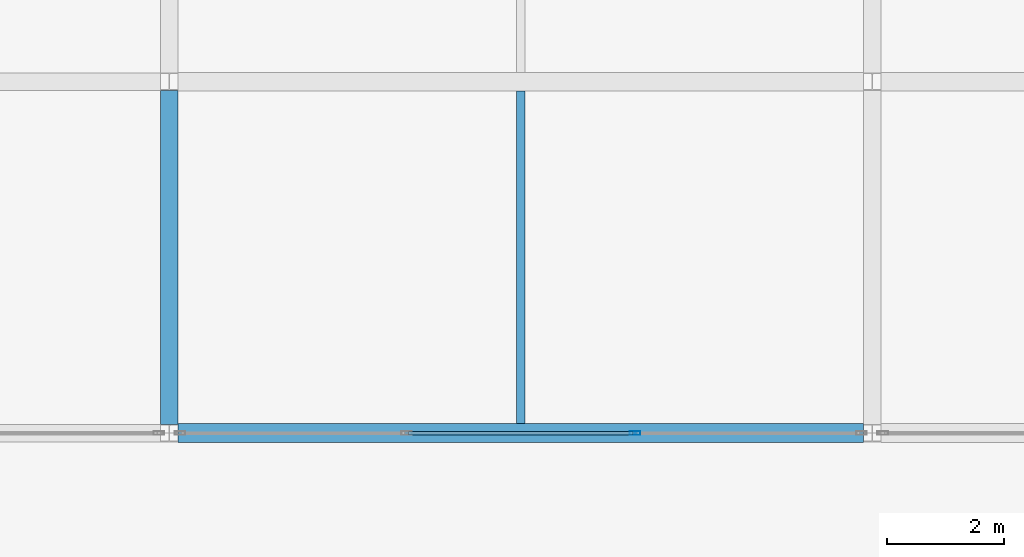
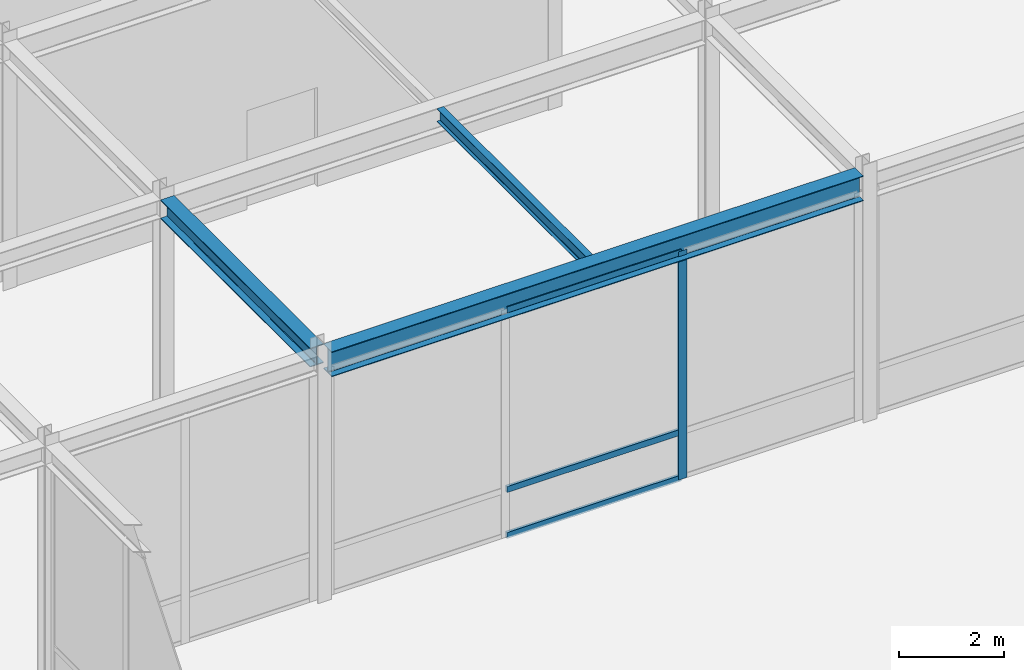
# One storey, part 70 of 108: 4 members, 3 beams, 1 element without a shape of its own.
"""IFC4 building model written with IfcOpenShell, lengths in metres."""

from ifc_helpers import new_model, si_unit, direction, frame, origin, origin_2d, place, context, subcontext, project, spatial, hollow_rectangle, i_section, extrude, material, layer, layer_set, material_profile, profile_set, type_object, element, aggregate, save


model = new_model("IFC4")

# Units and contexts
model_context = context("Model", 3, precision=1e-05, world=origin(), true_north=direction((0.0, 1.0)))
body_context = subcontext(model_context, "Body", "Model", "MODEL_VIEW")
ifc_project = project(units=[si_unit("LENGTHUNIT", "METRE"), si_unit("AREAUNIT", "SQUARE_METRE"), si_unit("VOLUMEUNIT", "CUBIC_METRE"), si_unit("PLANEANGLEUNIT", "RADIAN"), si_unit("MASSUNIT", "GRAM", prefix="KILO")], contexts=[model_context])

# Site, building, storey
site_placement = place(None, origin())
site = spatial("IfcSite", under=ifc_project, at=site_placement, CompositionType="ELEMENT")
building_placement = place(site_placement, origin())
building = spatial("IfcBuilding", under=site, at=building_placement, Name="Zlatovratsky Civic Hall", CompositionType="ELEMENT")
storey_placement = place(building_placement, frame((0.0, 0.0, 6.0)))
storey = spatial("IfcBuildingStorey", under=building, at=storey_placement, Name="L02", CompositionType="ELEMENT", Elevation=6.0)

# Beams
ifc_material_1 = material(Name="Steel S355", Category="steel")
ifc_material_profile_1 = material_profile(ifc_material_1, i_section(OverallWidth=0.320068359375, OverallDepth=0.58203125, WebThickness=0.011962890625, FlangeThickness=0.01708984375, FilletRadius=0.02392578125, at=origin_2d()), Name="60Sh1")
ifc_profile_set_1 = profile_set([ifc_material_profile_1], Name="Steel S355")
beam_type_1 = type_object("IfcBeamType", Name="Beam_PodiumGirder_60Sh1", PredefinedType="BEAM", material=ifc_profile_set_1)
beam_1_placement = place(storey_placement, frame((24.14990234375, 66.0, 5.468994140625), z_axis=(1.0, 0.0, 0.0), x_axis=(0.0, 1.0, 0.0)))
element("IfcBeam", 1, at=beam_1_placement, inside=storey, type_object=beam_type_1, Name="BM-1872", PredefinedType="BEAM", context=body_context, shape_type="SweptSolid", body=[
    extrude(i_section(OverallWidth=0.320068359375, OverallDepth=0.58203125, WebThickness=0.011962890625, FlangeThickness=0.01708984375, FilletRadius=0.02392578125, at=origin_2d()), origin(), (0.0, 0.0, 1.0), 11.7001953125),
])
ifc_material_profile_2 = material_profile(ifc_material_1, i_section(OverallWidth=0.300048828125, OverallDepth=0.43994140625, WebThickness=0.010986328125, FlangeThickness=0.01806640625, FilletRadius=0.02197265625, at=origin_2d()), Name="45Sh1")
ifc_profile_set_2 = profile_set([ifc_material_profile_2], Name="Steel S355")
beam_type_2 = type_object("IfcBeamType", Name="Beam_TowerLow_45Sh1", PredefinedType="BEAM", material=ifc_profile_set_2)
beam_2_placement = place(storey_placement, frame((24.0, 66.14990234375, 5.5400390625), z_axis=(0.0, 1.0, 0.0), x_axis=(-1.0, 0.0, 0.0)))
element("IfcBeam", 2, at=beam_2_placement, inside=storey, type_object=beam_type_2, Name="BM-2111", PredefinedType="BEAM", context=body_context, shape_type="SweptSolid", body=[
    extrude(i_section(OverallWidth=0.300048828125, OverallDepth=0.43994140625, WebThickness=0.010986328125, FlangeThickness=0.01806640625, FilletRadius=0.02197265625, at=origin_2d()), origin(), (0.0, 0.0, 1.0), 5.7001953125),
])

# Curtain wall, members
ifc_material_2 = material(Name="Anodised bronze aluminium", Category="aluminium")
ifc_layer = layer(ifc_material_2, 0.159912109375)
ifc_layer_set = layer_set([ifc_layer], Name="Anodised bronze aluminium")
curtain_wall_type = type_object("IfcCurtainWallType", Name="CurtainWall_Bronze_11700x5310_05", PredefinedType="NOTDEFINED", material=ifc_layer_set)
curtain_wall_placement = place(storey_placement, origin())
curtain_wall = element("IfcCurtainWall", 3, at=curtain_wall_placement, inside=storey, type_object=curtain_wall_type, Name="CW-013", PredefinedType="NOTDEFINED")
ifc_material_profile_3 = material_profile(ifc_material_2, hollow_rectangle(XDim=0.06005859375, YDim=0.179931640625, WallThickness=0.00390625, at=origin_2d()), Name="ALU 60x180x4")
ifc_profile_set_3 = profile_set([ifc_material_profile_3], Name="Anodised bronze aluminium")
member_type_1 = type_object("IfcMemberType", Name="CW_Mullion_60x180", PredefinedType="MULLION", material=ifc_profile_set_3)
member_1_placement = place(storey_placement, frame((31.949951171875, 66.0, 0.0), z_axis=(0.0, 0.0, 1.0), x_axis=(0.0, 1.0, 0.0)))
member_1 = element("IfcMember", 4, at=member_1_placement, type_object=member_type_1, Name="CW-05 mullion 3", PredefinedType="MULLION", context=body_context, shape_type="SweptSolid", body=[
    extrude(hollow_rectangle(XDim=0.06005859375, YDim=0.179931640625, WallThickness=0.00390625, at=origin_2d()), origin(), (0.0, 0.0, 1.0), 5.31005859375),
])
ifc_material_profile_4 = material_profile(ifc_material_2, hollow_rectangle(XDim=0.06005859375, YDim=0.139892578125, WallThickness=0.00390625, at=origin_2d()), Name="ALU 60x140x4")
ifc_profile_set_4 = profile_set([ifc_material_profile_4], Name="Anodised bronze aluminium")
member_type_2 = type_object("IfcMemberType", Name="CW_Transom_60x140", PredefinedType="USERDEFINED", material=ifc_profile_set_4)
member_2_placement = place(storey_placement, frame((28.080078125, 66.0, 0.030029296875), z_axis=(1.0, 0.0, 0.0), x_axis=(0.0, 1.0, 0.0)))
member_2 = element("IfcMember", 5, at=member_2_placement, type_object=member_type_2, Name="CW-05 transom 2.1", ObjectType="TRANSOM", PredefinedType="USERDEFINED", context=body_context, shape_type="SweptSolid", body=[
    extrude(hollow_rectangle(XDim=0.06005859375, YDim=0.139892578125, WallThickness=0.00390625, at=origin_2d()), origin(), (0.0, 0.0, 1.0), 3.83984375),
])
member_3_placement = place(storey_placement, frame((28.080078125, 66.0, 1.10009765625), z_axis=(1.0, 0.0, 0.0), x_axis=(0.0, 1.0, 0.0)))
member_3 = element("IfcMember", 6, at=member_3_placement, type_object=member_type_2, Name="CW-05 transom 2.2", ObjectType="TRANSOM", PredefinedType="USERDEFINED", context=body_context, shape_type="SweptSolid", body=[
    extrude(hollow_rectangle(XDim=0.06005859375, YDim=0.139892578125, WallThickness=0.00390625, at=origin_2d()), origin(), (0.0, 0.0, 1.0), 3.83984375),
])
member_4_placement = place(storey_placement, frame((28.080078125, 66.0, 5.280029296875), z_axis=(1.0, 0.0, 0.0), x_axis=(0.0, 1.0, 0.0)))
member_4 = element("IfcMember", 7, at=member_4_placement, type_object=member_type_2, Name="CW-05 transom 2.3", ObjectType="TRANSOM", PredefinedType="USERDEFINED", context=body_context, shape_type="SweptSolid", body=[
    extrude(hollow_rectangle(XDim=0.06005859375, YDim=0.139892578125, WallThickness=0.00390625, at=origin_2d()), origin(), (0.0, 0.0, 1.0), 3.83984375),
])
aggregate(curtain_wall, [member_1, member_2, member_3, member_4])

# Beam
ifc_material_profile_5 = material_profile(ifc_material_1, i_section(OverallWidth=0.14990234375, OverallDepth=0.300048828125, WebThickness=0.006591796875, FlangeThickness=0.009033203125, FilletRadius=0.012939453125, at=origin_2d()), Name="30B2")
ifc_profile_set_5 = profile_set([ifc_material_profile_5], Name="Steel S355")
beam_type_3 = type_object("IfcBeamType", Name="Joist_Podium_30B2", PredefinedType="JOIST", material=ifc_profile_set_5)
beam_3_placement = place(storey_placement, frame((30.0, 66.159912109375, 5.610107421875), z_axis=(0.0, 1.0, 0.0), x_axis=(-1.0, 0.0, 0.0)))
element("IfcBeam", 8, at=beam_3_placement, inside=storey, type_object=beam_type_3, Name="BM-2420", PredefinedType="JOIST", context=body_context, shape_type="SweptSolid", body=[
    extrude(i_section(OverallWidth=0.14990234375, OverallDepth=0.300048828125, WebThickness=0.006591796875, FlangeThickness=0.009033203125, FilletRadius=0.012939453125, at=origin_2d()), origin(), (0.0, 0.0, 1.0), 5.68017578125),
])

save(model, "model.ifc")
